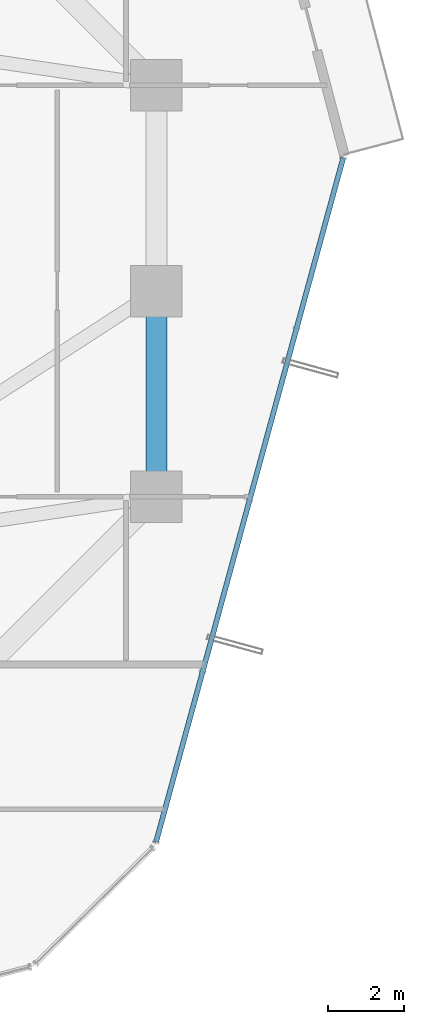
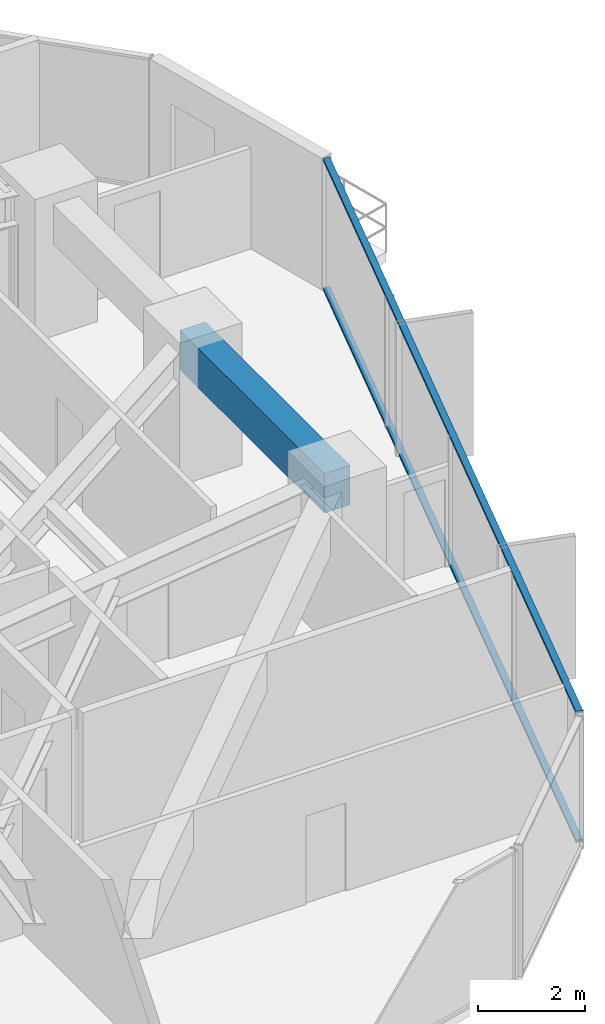
# One storey, part 18 of 39: 2 members, 1 beam, 1 element without a shape of its own.
"""IFC4 building model written with IfcOpenShell, lengths in metres."""

from ifc_helpers import new_model, si_unit, direction, frame, origin, origin_2d, place, context, subcontext, project, spatial, rectangle, hollow_rectangle, extrude, source, transform, mapped, material, layer, layer_set, material_profile, profile_set, type_object, element, aggregate, save


model = new_model("IFC4")

# Units and contexts
model_context = context("Model", 3, precision=1e-05, world=origin(), true_north=direction((0.0, 1.0)))
body_context = subcontext(model_context, "Body", "Model", "MODEL_VIEW")
ifc_project = project(units=[si_unit("LENGTHUNIT", "METRE"), si_unit("AREAUNIT", "SQUARE_METRE"), si_unit("VOLUMEUNIT", "CUBIC_METRE"), si_unit("PLANEANGLEUNIT", "RADIAN"), si_unit("MASSUNIT", "GRAM", prefix="KILO")], contexts=[model_context])

# Site, building, storey
site_placement = place(None, origin())
site = spatial("IfcSite", under=ifc_project, at=site_placement, CompositionType="ELEMENT")
building_placement = place(site_placement, origin())
building = spatial("IfcBuilding", under=site, at=building_placement, Name="Veraguas Prism Commons", CompositionType="ELEMENT")
storey_placement = place(building_placement, frame((0.0, 0.0, 73.85009765625)))
storey = spatial("IfcBuildingStorey", under=building, at=storey_placement, Name="L20", CompositionType="ELEMENT", Elevation=73.85009765625)

# Beam
ifc_material_1 = material(Name="Concrete C50/60", Category="concrete")
ifc_material_profile_1 = material_profile(ifc_material_1, rectangle(XDim=0.550048828125, YDim=0.89990234375, at=origin_2d()), Name="RC550X900")
ifc_profile_set_1 = profile_set([ifc_material_profile_1], Name="Concrete C50/60")
beam_type = type_object("IfcBeamType", Name="Perimeter Spandrel Lower RC 550x900", PredefinedType="SPANDREL", material=ifc_profile_set_1)
beam_placement = place(storey_placement, frame((41.60009765625, 18.60009765625, 2.5498046875), z_axis=(0.0, 1.0, 0.0), x_axis=(-1.0, 0.0, 0.0)))
element("IfcBeam", 1, at=beam_placement, inside=storey, type_object=beam_type, Name="Perimeter Spandrel Beam L20-SP01", PredefinedType="SPANDREL", context=body_context, shape_type="SweptSolid", body=[
    extrude(rectangle(XDim=0.550048828125, YDim=0.89990234375, at=origin_2d()), origin(), (0.0, 0.0, 1.0), 5.39990234375),
])

# Curtain wall, members
ifc_material_2 = material(Name="Anodised aluminium EN AW-6063 T6", Category="aluminium")
ifc_layer = layer(ifc_material_2, 0.169921875, Name="Unitised Flush Curtain Wall Zone 1", Category="aluminium")
ifc_layer_set = layer_set([ifc_layer], Name="Anodised aluminium EN AW-6063 T6")
curtain_wall_type = type_object("IfcCurtainWallType", Name="Unitised Flush Curtain Wall Zone 1", PredefinedType="NOTDEFINED", material=ifc_layer_set)
curtain_wall_placement = place(storey_placement, origin())
curtain_wall = element("IfcCurtainWall", 2, at=curtain_wall_placement, inside=storey, type_object=curtain_wall_type, Name="Tower Facade Curtain Wall L20-F6", PredefinedType="NOTDEFINED")
ifc_material_profile_2 = material_profile(ifc_material_2, hollow_rectangle(XDim=0.054931640625, YDim=0.135009765625, WallThickness=0.0029296875, at=origin_2d()), Name="AL55X135X3")
ifc_profile_set_2 = profile_set([ifc_material_profile_2], Name="Anodised aluminium EN AW-6063 T6")
member_type = type_object("IfcMemberType", Name="Curtain Wall Transom Standard AL 55x135x3", PredefinedType="USERDEFINED", material=ifc_profile_set_2)
shared_shape = source(origin(), body_context, "Body", "SweptSolid", [
    extrude(hollow_rectangle(XDim=0.054931640625, YDim=0.135009765625, WallThickness=0.0029296875, at=origin_2d()), origin(), (0.0, 0.0, 1.0), 18.623779296875),
])
member_1_placement = place(storey_placement, frame((41.5908203125, 9.53369140625, 0.02734375), z_axis=(0.263873822959, 0.96455720699, 0.0), x_axis=(0.0, 0.0, 1.0)))
member_1 = element("IfcMember", 3, at=member_1_placement, type_object=member_type, Name="CW-Z1 Transom 1", ObjectType="TRANSOM", PredefinedType="USERDEFINED", context=body_context, shape_type="MappedRepresentation", body=[
    mapped(shared_shape, transform((0.0, 0.0, 0.0), scale=1.0)),
])
member_2_placement = place(storey_placement, frame((41.5908203125, 9.53369140625, 2.972412109375), z_axis=(0.263873822959, 0.96455720699, 0.0), x_axis=(0.0, 0.0, 1.0)))
member_2 = element("IfcMember", 4, at=member_2_placement, type_object=member_type, Name="CW-Z1 Transom 2", ObjectType="TRANSOM", PredefinedType="USERDEFINED", context=body_context, shape_type="MappedRepresentation", body=[
    mapped(shared_shape, transform((0.0, 0.0, 0.0), scale=1.0)),
])
aggregate(curtain_wall, [member_1, member_2])

save(model, "model.ifc")
